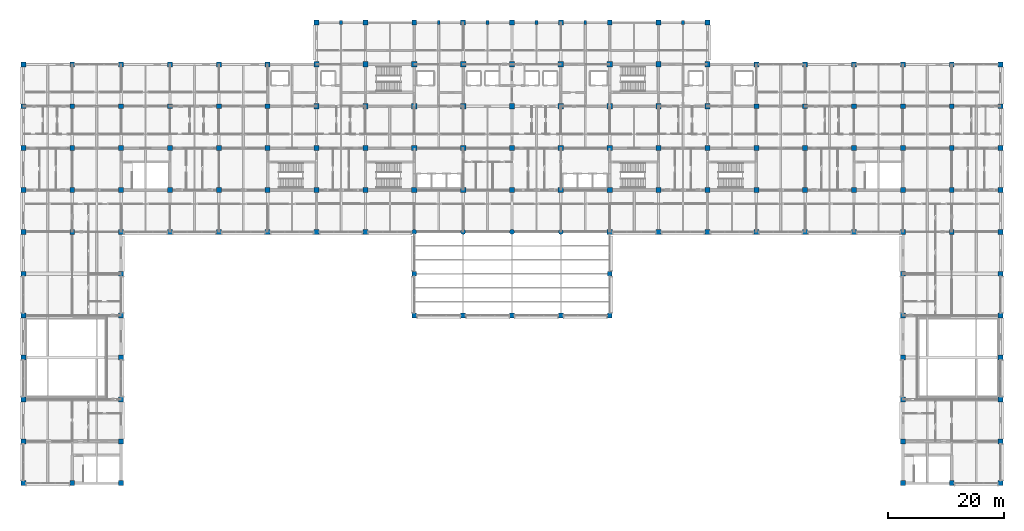
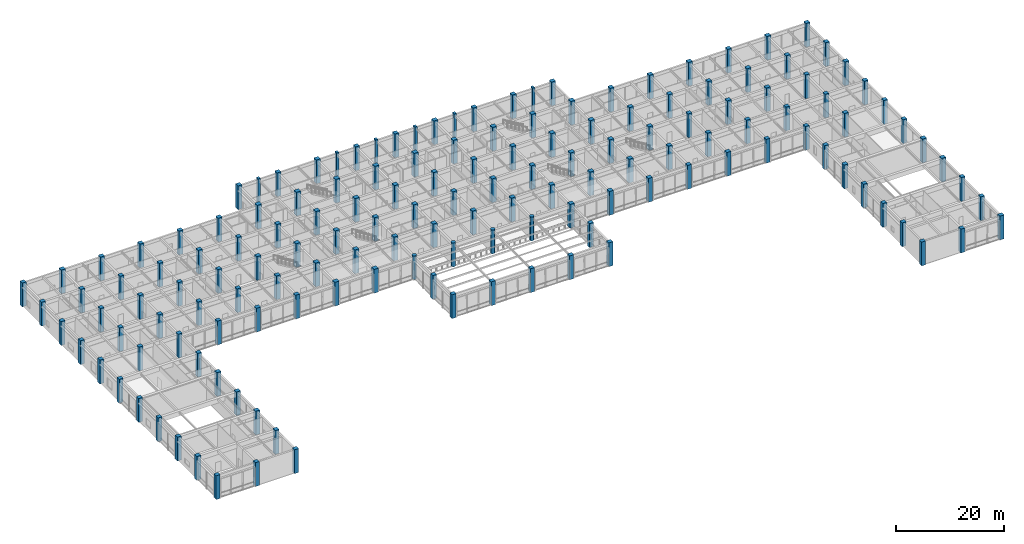
# One storey, part 1 of 58: 153 columns.
"""IFC4 building model written with IfcOpenShell, lengths in metres."""

from ifc_helpers import new_model, si_unit, direction, frame, origin, origin_2d, place, context, subcontext, project, spatial, rectangle, circle, extrude, material, material_profile, profile_set, type_object, element, save


model = new_model("IFC4")

# Units and contexts
model_context = context("Model", 3, precision=1e-05, world=origin(), true_north=direction((0.0, 1.0)))
body_context = subcontext(model_context, "Body", "Model", "MODEL_VIEW")
ifc_project = project(units=[si_unit("LENGTHUNIT", "METRE"), si_unit("AREAUNIT", "SQUARE_METRE"), si_unit("VOLUMEUNIT", "CUBIC_METRE"), si_unit("PLANEANGLEUNIT", "RADIAN"), si_unit("MASSUNIT", "GRAM", prefix="KILO")], contexts=[model_context])

# Site, building, storey
site_placement = place(None, origin())
site = spatial("IfcSite", under=ifc_project, at=site_placement, CompositionType="ELEMENT")
building_placement = place(site_placement, origin())
building = spatial("IfcBuilding", under=site, at=building_placement, Name="Chengyuan Square Courthouse", CompositionType="ELEMENT")
storey_placement = place(building_placement, frame((0.0, 0.0, 16.199951171875)))
storey = spatial("IfcBuildingStorey", under=building, at=storey_placement, Name="L04", CompositionType="ELEMENT", Elevation=16.199951171875)

# Columns
ifc_material_1 = material(Name="Concrete C50", Category="concrete")
ifc_material_profile_1 = material_profile(ifc_material_1, rectangle(XDim=0.89990234375, YDim=0.89990234375, at=origin_2d()), Name="RC-COL-900x900")
ifc_profile_set_1 = profile_set([ifc_material_profile_1], Name="Concrete C50")
column_type_1 = type_object("IfcColumnType", Name="CL-02", PredefinedType="COLUMN", material=ifc_profile_set_1)
for number, where, z_axis, x_axis, name in (
    (1, (50.39990234375, 79.199951171875, 0.0), (0.0, 0.0, 1.0), (1.0, 0.0, 0.0), "Column CL-L04-044"),
    (2, (50.39990234375, 86.39990234375, 0.0), (0.0, 0.0, 1.0), (1.0, 0.0, 0.0), "Column CL-L04-045"),
    (3, (50.39990234375, 93.60009765625, 0.0), (0.0, 0.0, 1.0), (1.0, 0.0, 0.0), "Column CL-L04-046"),
    (4, (50.39990234375, 100.800048828125, 0.0), (0.0, 0.0, 1.0), (1.0, 0.0, 0.0), "Column CL-L04-047"),
    (5, (50.39990234375, 108.0, 0.0), (0.0, 0.0, 1.0), (1.0, 0.0, 0.0), "Column CL-L04-048"),
    (6, (58.800048828125, 79.199951171875, 0.0), (0.0, 0.0, 1.0), (1.0, 0.0, 0.0), "Column CL-L04-050"),
    (7, (58.800048828125, 86.39990234375, 0.0), (0.0, 0.0, 1.0), (1.0, 0.0, 0.0), "Column CL-L04-051"),
    (8, (58.800048828125, 93.60009765625, 0.0), (0.0, 0.0, 1.0), (1.0, 0.0, 0.0), "Column CL-L04-052"),
    (9, (58.800048828125, 100.800048828125, 0.0), (0.0, 0.0, 1.0), (1.0, 0.0, 0.0), "Column CL-L04-053"),
    (10, (58.800048828125, 108.0, 0.0), (0.0, 0.0, 1.0), (1.0, 0.0, 0.0), "Column CL-L04-054"),
    (11, (67.199951171875, 86.39990234375, 0.0), (0.0, 0.0, 1.0), (1.0, 0.0, 0.0), "Column CL-L04-059"),
    (12, (67.199951171875, 93.60009765625, 0.0), (0.0, 0.0, 1.0), (1.0, 0.0, 0.0), "Column CL-L04-060"),
    (13, (67.199951171875, 100.800048828125, 0.0), (0.0, 0.0, 1.0), (1.0, 0.0, 0.0), "Column CL-L04-061"),
    (14, (67.199951171875, 108.0, 0.0), (0.0, 0.0, 1.0), (1.0, 0.0, 0.0), "Column CL-L04-062"),
    (15, (75.60009765625, 86.39990234375, 0.0), (0.0, 0.0, 1.0), (1.0, 0.0, 0.0), "Column CL-L04-066"),
    (16, (75.60009765625, 93.60009765625, 0.0), (0.0, 0.0, 1.0), (1.0, 0.0, 0.0), "Column CL-L04-067"),
    (17, (75.60009765625, 100.800048828125, 0.0), (0.0, 0.0, 1.0), (1.0, 0.0, 0.0), "Column CL-L04-068"),
    (18, (75.60009765625, 108.0, 0.0), (0.0, 0.0, 1.0), (1.0, 0.0, 0.0), "Column CL-L04-069"),
    (19, (84.0, 86.39990234375, 0.0), (0.0, 0.0, 1.0), (1.0, 0.0, 0.0), "Column CL-L04-073"),
    (20, (84.0, 93.60009765625, 0.0), (0.0, 0.0, 1.0), (1.0, 0.0, 0.0), "Column CL-L04-074"),
    (21, (84.0, 100.800048828125, 0.0), (0.0, 0.0, 1.0), (1.0, 0.0, 0.0), "Column CL-L04-075"),
    (22, (84.0, 108.0, 0.0), (0.0, 0.0, 1.0), (1.0, 0.0, 0.0), "Column CL-L04-076"),
    (23, (92.39990234375, 86.39990234375, 0.0), (0.0, 0.0, 1.0), (1.0, 0.0, 0.0), "Column CL-L04-080"),
    (24, (92.39990234375, 93.60009765625, 0.0), (0.0, 0.0, 1.0), (1.0, 0.0, 0.0), "Column CL-L04-081"),
    (25, (92.39990234375, 100.800048828125, 0.0), (0.0, 0.0, 1.0), (1.0, 0.0, 0.0), "Column CL-L04-082"),
    (26, (92.39990234375, 108.0, 0.0), (0.0, 0.0, 1.0), (1.0, 0.0, 0.0), "Column CL-L04-083"),
    (27, (100.800048828125, 79.199951171875, 0.0), (0.0, 0.0, 1.0), (1.0, 0.0, 0.0), "Column CL-L04-087"),
    (28, (100.800048828125, 86.39990234375, 0.0), (0.0, 0.0, 1.0), (1.0, 0.0, 0.0), "Column CL-L04-088"),
    (29, (100.800048828125, 93.60009765625, 0.0), (0.0, 0.0, 1.0), (1.0, 0.0, 0.0), "Column CL-L04-089"),
    (30, (100.800048828125, 100.800048828125, 0.0), (0.0, 0.0, 1.0), (1.0, 0.0, 0.0), "Column CL-L04-090"),
    (31, (100.800048828125, 108.0, 0.0), (0.0, 0.0, 1.0), (1.0, 0.0, 0.0), "Column CL-L04-091"),
    (32, (109.199951171875, 79.199951171875, 0.0), (0.0, 0.0, 1.0), (1.0, 0.0, 0.0), "Column CL-L04-093"),
    (33, (109.199951171875, 86.39990234375, 0.0), (0.0, 0.0, 1.0), (1.0, 0.0, 0.0), "Column CL-L04-094"),
    (34, (109.199951171875, 93.60009765625, 0.0), (0.0, 0.0, 1.0), (1.0, 0.0, 0.0), "Column CL-L04-095"),
    (35, (109.199951171875, 100.800048828125, 0.0), (0.0, 0.0, 1.0), (1.0, 0.0, 0.0), "Column CL-L04-096"),
    (36, (109.199951171875, 108.0, 0.0), (0.0, 0.0, 1.0), (1.0, 0.0, 0.0), "Column CL-L04-097"),
    (37, (117.60009765625, 79.199951171875, 0.0), (0.0, 0.0, 1.0), (1.0, 0.0, 0.0), "Column CL-L04-099"),
    (38, (117.60009765625, 86.39990234375, 0.0), (0.0, 0.0, 1.0), (1.0, 0.0, 0.0), "Column CL-L04-100"),
    (39, (117.60009765625, 93.60009765625, 0.0), (0.0, 0.0, 1.0), (1.0, 0.0, 0.0), "Column CL-L04-101"),
    (40, (117.60009765625, 100.800048828125, 0.0), (0.0, 0.0, 1.0), (1.0, 0.0, 0.0), "Column CL-L04-102"),
    (41, (117.60009765625, 108.0, 0.0), (0.0, 0.0, 1.0), (1.0, 0.0, 0.0), "Column CL-L04-103"),
):
    element("IfcColumn", number, at=place(storey_placement, frame(where, z_axis=z_axis, x_axis=x_axis)), inside=storey, type_object=column_type_1, Name=name, PredefinedType="COLUMN", context=body_context, shape_type="SweptSolid", body=[
        extrude(rectangle(XDim=0.89990234375, YDim=0.89990234375, at=origin_2d()), origin(), (0.0, 0.0, 1.0), 5.400146484375),
    ])
ifc_material_profile_2 = material_profile(ifc_material_1, rectangle(XDim=0.85009765625, YDim=0.85009765625, at=origin_2d()), Name="RC-COL-850x850")
ifc_profile_set_2 = profile_set([ifc_material_profile_2], Name="Concrete C50")
column_type_2 = type_object("IfcColumnType", Name="CL-03", PredefinedType="COLUMN", material=ifc_profile_set_2)
for number, where, z_axis, x_axis, name in (
    (42, (0.0, 36.0, 0.0), (0.0, 0.0, 1.0), (1.0, 0.0, 0.0), "Column CL-L04-001"),
    (43, (0.0, 43.199951171875, 0.0), (0.0, 0.0, 1.0), (1.0, 0.0, 0.0), "Column CL-L04-002"),
    (44, (0.0, 50.39990234375, 0.0), (0.0, 0.0, 1.0), (1.0, 0.0, 0.0), "Column CL-L04-003"),
    (45, (0.0, 57.60009765625, 0.0), (0.0, 0.0, 1.0), (1.0, 0.0, 0.0), "Column CL-L04-004"),
    (46, (0.0, 64.800048828125, 0.0), (0.0, 0.0, 1.0), (1.0, 0.0, 0.0), "Column CL-L04-005"),
    (47, (0.0, 72.0, 0.0), (0.0, 0.0, 1.0), (1.0, 0.0, 0.0), "Column CL-L04-006"),
    (48, (0.0, 79.199951171875, 0.0), (0.0, 0.0, 1.0), (1.0, 0.0, 0.0), "Column CL-L04-007"),
    (49, (0.0, 86.39990234375, 0.0), (0.0, 0.0, 1.0), (1.0, 0.0, 0.0), "Column CL-L04-008"),
    (50, (0.0, 93.60009765625, 0.0), (0.0, 0.0, 1.0), (1.0, 0.0, 0.0), "Column CL-L04-009"),
    (51, (0.0, 100.800048828125, 0.0), (0.0, 0.0, 1.0), (1.0, 0.0, 0.0), "Column CL-L04-010"),
    (52, (0.0, 108.0, 0.0), (0.0, 0.0, 1.0), (1.0, 0.0, 0.0), "Column CL-L04-011"),
    (53, (8.39990234375, 36.0, 0.0), (0.0, 0.0, 1.0), (1.0, 0.0, 0.0), "Column CL-L04-012"),
    (54, (8.39990234375, 79.199951171875, 0.0), (0.0, 0.0, 1.0), (1.0, 0.0, 0.0), "Column CL-L04-013"),
    (55, (8.39990234375, 86.39990234375, 0.0), (0.0, 0.0, 1.0), (1.0, 0.0, 0.0), "Column CL-L04-014"),
    (56, (8.39990234375, 93.60009765625, 0.0), (0.0, 0.0, 1.0), (1.0, 0.0, 0.0), "Column CL-L04-015"),
    (57, (8.39990234375, 100.800048828125, 0.0), (0.0, 0.0, 1.0), (1.0, 0.0, 0.0), "Column CL-L04-016"),
    (58, (8.39990234375, 108.0, 0.0), (0.0, 0.0, 1.0), (1.0, 0.0, 0.0), "Column CL-L04-017"),
    (59, (16.800048828125, 36.0, 0.0), (0.0, 0.0, 1.0), (1.0, 0.0, 0.0), "Column CL-L04-018"),
    (60, (16.800048828125, 43.199951171875, 0.0), (0.0, 0.0, 1.0), (1.0, 0.0, 0.0), "Column CL-L04-019"),
    (61, (16.800048828125, 50.39990234375, 0.0), (0.0, 0.0, 1.0), (1.0, 0.0, 0.0), "Column CL-L04-020"),
    (62, (16.800048828125, 57.60009765625, 0.0), (0.0, 0.0, 1.0), (1.0, 0.0, 0.0), "Column CL-L04-021"),
    (63, (16.800048828125, 64.800048828125, 0.0), (0.0, 0.0, 1.0), (1.0, 0.0, 0.0), "Column CL-L04-022"),
    (64, (16.800048828125, 72.0, 0.0), (0.0, 0.0, 1.0), (1.0, 0.0, 0.0), "Column CL-L04-023"),
    (65, (16.800048828125, 79.199951171875, 0.0), (0.0, 0.0, 1.0), (1.0, 0.0, 0.0), "Column CL-L04-024"),
    (66, (16.800048828125, 86.39990234375, 0.0), (0.0, 0.0, 1.0), (1.0, 0.0, 0.0), "Column CL-L04-025"),
    (67, (16.800048828125, 93.60009765625, 0.0), (0.0, 0.0, 1.0), (1.0, 0.0, 0.0), "Column CL-L04-026"),
    (68, (16.800048828125, 100.800048828125, 0.0), (0.0, 0.0, 1.0), (1.0, 0.0, 0.0), "Column CL-L04-027"),
    (69, (16.800048828125, 108.0, 0.0), (0.0, 0.0, 1.0), (1.0, 0.0, 0.0), "Column CL-L04-028"),
    (70, (25.199951171875, 79.199951171875, 0.0), (0.0, 0.0, 1.0), (1.0, 0.0, 0.0), "Column CL-L04-029"),
    (71, (25.199951171875, 86.39990234375, 0.0), (0.0, 0.0, 1.0), (1.0, 0.0, 0.0), "Column CL-L04-030"),
    (72, (25.199951171875, 93.60009765625, 0.0), (0.0, 0.0, 1.0), (1.0, 0.0, 0.0), "Column CL-L04-031"),
    (73, (25.199951171875, 100.800048828125, 0.0), (0.0, 0.0, 1.0), (1.0, 0.0, 0.0), "Column CL-L04-032"),
    (74, (25.199951171875, 108.0, 0.0), (0.0, 0.0, 1.0), (1.0, 0.0, 0.0), "Column CL-L04-033"),
    (75, (33.60009765625, 79.199951171875, 0.0), (0.0, 0.0, 1.0), (1.0, 0.0, 0.0), "Column CL-L04-034"),
    (76, (33.60009765625, 86.39990234375, 0.0), (0.0, 0.0, 1.0), (1.0, 0.0, 0.0), "Column CL-L04-035"),
    (77, (33.60009765625, 93.60009765625, 0.0), (0.0, 0.0, 1.0), (1.0, 0.0, 0.0), "Column CL-L04-036"),
    (78, (33.60009765625, 100.800048828125, 0.0), (0.0, 0.0, 1.0), (1.0, 0.0, 0.0), "Column CL-L04-037"),
    (79, (33.60009765625, 108.0, 0.0), (0.0, 0.0, 1.0), (1.0, 0.0, 0.0), "Column CL-L04-038"),
    (80, (42.0, 79.199951171875, 0.0), (0.0, 0.0, 1.0), (1.0, 0.0, 0.0), "Column CL-L04-039"),
    (81, (42.0, 86.39990234375, 0.0), (0.0, 0.0, 1.0), (1.0, 0.0, 0.0), "Column CL-L04-040"),
    (82, (42.0, 93.60009765625, 0.0), (0.0, 0.0, 1.0), (1.0, 0.0, 0.0), "Column CL-L04-041"),
    (83, (42.0, 100.800048828125, 0.0), (0.0, 0.0, 1.0), (1.0, 0.0, 0.0), "Column CL-L04-042"),
    (84, (42.0, 108.0, 0.0), (0.0, 0.0, 1.0), (1.0, 0.0, 0.0), "Column CL-L04-043"),
    (85, (50.39990234375, 115.199951171875, 0.0), (0.0, 0.0, 1.0), (1.0, 0.0, 0.0), "Column CL-L04-049"),
    (86, (58.800048828125, 115.199951171875, 0.0), (0.0, 0.0, 1.0), (1.0, 0.0, 0.0), "Column CL-L04-055"),
    (87, (67.199951171875, 64.800048828125, 0.0), (0.0, 0.0, 1.0), (1.0, 0.0, 0.0), "Column CL-L04-056"),
    (88, (67.199951171875, 72.0, 0.0), (0.0, 0.0, 1.0), (1.0, 0.0, 0.0), "Column CL-L04-057"),
    (89, (67.199951171875, 115.199951171875, 0.0), (0.0, 0.0, 1.0), (1.0, 0.0, 0.0), "Column CL-L04-063"),
    (90, (75.60009765625, 64.800048828125, 0.0), (0.0, 0.0, 1.0), (1.0, 0.0, 0.0), "Column CL-L04-064"),
    (91, (75.60009765625, 115.199951171875, 0.0), (0.0, 0.0, 1.0), (1.0, 0.0, 0.0), "Column CL-L04-070"),
    (92, (84.0, 64.800048828125, 0.0), (0.0, 0.0, 1.0), (1.0, 0.0, 0.0), "Column CL-L04-071"),
    (93, (84.0, 115.199951171875, 0.0), (0.0, 0.0, 1.0), (1.0, 0.0, 0.0), "Column CL-L04-077"),
    (94, (92.39990234375, 64.800048828125, 0.0), (0.0, 0.0, 1.0), (1.0, 0.0, 0.0), "Column CL-L04-078"),
    (95, (92.39990234375, 115.199951171875, 0.0), (0.0, 0.0, 1.0), (1.0, 0.0, 0.0), "Column CL-L04-084"),
    (96, (100.800048828125, 64.800048828125, 0.0), (0.0, 0.0, 1.0), (1.0, 0.0, 0.0), "Column CL-L04-085"),
    (97, (100.800048828125, 72.0, 0.0), (0.0, 0.0, 1.0), (1.0, 0.0, 0.0), "Column CL-L04-086"),
    (98, (100.800048828125, 115.199951171875, 0.0), (0.0, 0.0, 1.0), (1.0, 0.0, 0.0), "Column CL-L04-092"),
    (99, (109.199951171875, 115.199951171875, 0.0), (0.0, 0.0, 1.0), (1.0, 0.0, 0.0), "Column CL-L04-098"),
    (100, (117.60009765625, 115.199951171875, 0.0), (0.0, 0.0, 1.0), (1.0, 0.0, 0.0), "Column CL-L04-104"),
    (101, (126.0, 79.199951171875, 0.0), (0.0, 0.0, 1.0), (1.0, 0.0, 0.0), "Column CL-L04-105"),
    (102, (126.0, 86.39990234375, 0.0), (0.0, 0.0, 1.0), (1.0, 0.0, 0.0), "Column CL-L04-106"),
    (103, (126.0, 93.60009765625, 0.0), (0.0, 0.0, 1.0), (1.0, 0.0, 0.0), "Column CL-L04-107"),
    (104, (126.0, 100.800048828125, 0.0), (0.0, 0.0, 1.0), (1.0, 0.0, 0.0), "Column CL-L04-108"),
    (105, (126.0, 108.0, 0.0), (0.0, 0.0, 1.0), (1.0, 0.0, 0.0), "Column CL-L04-109"),
    (106, (134.39990234375, 79.199951171875, 0.0), (0.0, 0.0, 1.0), (1.0, 0.0, 0.0), "Column CL-L04-110"),
    (107, (134.39990234375, 86.39990234375, 0.0), (0.0, 0.0, 1.0), (1.0, 0.0, 0.0), "Column CL-L04-111"),
    (108, (134.39990234375, 93.60009765625, 0.0), (0.0, 0.0, 1.0), (1.0, 0.0, 0.0), "Column CL-L04-112"),
    (109, (134.39990234375, 100.800048828125, 0.0), (0.0, 0.0, 1.0), (1.0, 0.0, 0.0), "Column CL-L04-113"),
    (110, (134.39990234375, 108.0, 0.0), (0.0, 0.0, 1.0), (1.0, 0.0, 0.0), "Column CL-L04-114"),
    (111, (142.800048828125, 79.199951171875, 0.0), (0.0, 0.0, 1.0), (1.0, 0.0, 0.0), "Column CL-L04-115"),
    (112, (142.800048828125, 86.39990234375, 0.0), (0.0, 0.0, 1.0), (1.0, 0.0, 0.0), "Column CL-L04-116"),
    (113, (142.800048828125, 93.60009765625, 0.0), (0.0, 0.0, 1.0), (1.0, 0.0, 0.0), "Column CL-L04-117"),
    (114, (142.800048828125, 100.800048828125, 0.0), (0.0, 0.0, 1.0), (1.0, 0.0, 0.0), "Column CL-L04-118"),
    (115, (142.800048828125, 108.0, 0.0), (0.0, 0.0, 1.0), (1.0, 0.0, 0.0), "Column CL-L04-119"),
    (116, (151.199951171875, 36.0, 0.0), (0.0, 0.0, 1.0), (1.0, 0.0, 0.0), "Column CL-L04-120"),
    (117, (151.199951171875, 43.199951171875, 0.0), (0.0, 0.0, 1.0), (1.0, 0.0, 0.0), "Column CL-L04-121"),
    (118, (151.199951171875, 50.39990234375, 0.0), (0.0, 0.0, 1.0), (1.0, 0.0, 0.0), "Column CL-L04-122"),
    (119, (151.199951171875, 57.60009765625, 0.0), (0.0, 0.0, 1.0), (1.0, 0.0, 0.0), "Column CL-L04-123"),
    (120, (151.199951171875, 64.800048828125, 0.0), (0.0, 0.0, 1.0), (1.0, 0.0, 0.0), "Column CL-L04-124"),
    (121, (151.199951171875, 72.0, 0.0), (0.0, 0.0, 1.0), (1.0, 0.0, 0.0), "Column CL-L04-125"),
    (122, (151.199951171875, 79.199951171875, 0.0), (0.0, 0.0, 1.0), (1.0, 0.0, 0.0), "Column CL-L04-126"),
    (123, (151.199951171875, 86.39990234375, 0.0), (0.0, 0.0, 1.0), (1.0, 0.0, 0.0), "Column CL-L04-127"),
    (124, (151.199951171875, 93.60009765625, 0.0), (0.0, 0.0, 1.0), (1.0, 0.0, 0.0), "Column CL-L04-128"),
    (125, (151.199951171875, 100.800048828125, 0.0), (0.0, 0.0, 1.0), (1.0, 0.0, 0.0), "Column CL-L04-129"),
    (126, (151.199951171875, 108.0, 0.0), (0.0, 0.0, 1.0), (1.0, 0.0, 0.0), "Column CL-L04-130"),
    (127, (159.60009765625, 36.0, 0.0), (0.0, 0.0, 1.0), (1.0, 0.0, 0.0), "Column CL-L04-131"),
    (128, (159.60009765625, 79.199951171875, 0.0), (0.0, 0.0, 1.0), (1.0, 0.0, 0.0), "Column CL-L04-132"),
    (129, (159.60009765625, 86.39990234375, 0.0), (0.0, 0.0, 1.0), (1.0, 0.0, 0.0), "Column CL-L04-133"),
    (130, (159.60009765625, 93.60009765625, 0.0), (0.0, 0.0, 1.0), (1.0, 0.0, 0.0), "Column CL-L04-134"),
    (131, (159.60009765625, 100.800048828125, 0.0), (0.0, 0.0, 1.0), (1.0, 0.0, 0.0), "Column CL-L04-135"),
    (132, (159.60009765625, 108.0, 0.0), (0.0, 0.0, 1.0), (1.0, 0.0, 0.0), "Column CL-L04-136"),
    (133, (168.0, 36.0, 0.0), (0.0, 0.0, 1.0), (1.0, 0.0, 0.0), "Column CL-L04-137"),
    (134, (168.0, 43.199951171875, 0.0), (0.0, 0.0, 1.0), (1.0, 0.0, 0.0), "Column CL-L04-138"),
    (135, (168.0, 50.39990234375, 0.0), (0.0, 0.0, 1.0), (1.0, 0.0, 0.0), "Column CL-L04-139"),
    (136, (168.0, 57.60009765625, 0.0), (0.0, 0.0, 1.0), (1.0, 0.0, 0.0), "Column CL-L04-140"),
    (137, (168.0, 64.800048828125, 0.0), (0.0, 0.0, 1.0), (1.0, 0.0, 0.0), "Column CL-L04-141"),
    (138, (168.0, 72.0, 0.0), (0.0, 0.0, 1.0), (1.0, 0.0, 0.0), "Column CL-L04-142"),
    (139, (168.0, 79.199951171875, 0.0), (0.0, 0.0, 1.0), (1.0, 0.0, 0.0), "Column CL-L04-143"),
    (140, (168.0, 86.39990234375, 0.0), (0.0, 0.0, 1.0), (1.0, 0.0, 0.0), "Column CL-L04-144"),
    (141, (168.0, 93.60009765625, 0.0), (0.0, 0.0, 1.0), (1.0, 0.0, 0.0), "Column CL-L04-145"),
    (142, (168.0, 100.800048828125, 0.0), (0.0, 0.0, 1.0), (1.0, 0.0, 0.0), "Column CL-L04-146"),
    (143, (168.0, 108.0, 0.0), (0.0, 0.0, 1.0), (1.0, 0.0, 0.0), "Column CL-L04-147"),
):
    element("IfcColumn", number, at=place(storey_placement, frame(where, z_axis=z_axis, x_axis=x_axis)), inside=storey, type_object=column_type_2, Name=name, PredefinedType="COLUMN", context=body_context, shape_type="SweptSolid", body=[
        extrude(rectangle(XDim=0.85009765625, YDim=0.85009765625, at=origin_2d()), origin(), (0.0, 0.0, 1.0), 5.400146484375),
    ])
ifc_material_profile_3 = material_profile(ifc_material_1, circle(Radius=0.425048828125, at=origin_2d()), Name="RC-COL-D850")
ifc_profile_set_3 = profile_set([ifc_material_profile_3], Name="Concrete C50")
column_type_3 = type_object("IfcColumnType", Name="CL-08", PredefinedType="COLUMN", material=ifc_profile_set_3)
for number, where, z_axis, x_axis, name in (
    (144, (67.199951171875, 79.199951171875, 0.0), (0.0, 0.0, 1.0), (1.0, 0.0, 0.0), "Column CL-L04-058"),
    (145, (75.60009765625, 79.199951171875, 0.0), (0.0, 0.0, 1.0), (1.0, 0.0, 0.0), "Column CL-L04-065"),
    (146, (84.0, 79.199951171875, 0.0), (0.0, 0.0, 1.0), (1.0, 0.0, 0.0), "Column CL-L04-072"),
    (147, (92.39990234375, 79.199951171875, 0.0), (0.0, 0.0, 1.0), (1.0, 0.0, 0.0), "Column CL-L04-079"),
):
    element("IfcColumn", number, at=place(storey_placement, frame(where, z_axis=z_axis, x_axis=x_axis)), inside=storey, type_object=column_type_3, Name=name, PredefinedType="COLUMN", context=body_context, shape_type="SweptSolid", body=[
        extrude(circle(Radius=0.425048828125, at=origin_2d()), origin(), (0.0, 0.0, 1.0), 5.400146484375),
    ])
ifc_material_2 = material(Name="Concrete C40", Category="concrete")
ifc_material_profile_4 = material_profile(ifc_material_2, rectangle(XDim=0.5, YDim=0.64990234375, at=origin_2d()), Name="RC-PIL-500x650")
ifc_profile_set_4 = profile_set([ifc_material_profile_4], Name="Concrete C40")
column_type_4 = type_object("IfcColumnType", Name="CL-09", PredefinedType="PILASTER", material=ifc_profile_set_4)
for number, where, z_axis, x_axis, name in (
    (148, (54.60009765625, 115.199951171875, 0.0), (0.0, 0.0, 1.0), (1.0, 0.0, 0.0), "Engaged Pilaster PLST-L04-148"),
    (149, (71.39990234375, 115.199951171875, 0.0), (0.0, 0.0, 1.0), (1.0, 0.0, 0.0), "Engaged Pilaster PLST-L04-149"),
    (150, (79.800048828125, 115.199951171875, 0.0), (0.0, 0.0, 1.0), (1.0, 0.0, 0.0), "Engaged Pilaster PLST-L04-150"),
    (151, (88.199951171875, 115.199951171875, 0.0), (0.0, 0.0, 1.0), (1.0, 0.0, 0.0), "Engaged Pilaster PLST-L04-151"),
    (152, (96.60009765625, 115.199951171875, 0.0), (0.0, 0.0, 1.0), (1.0, 0.0, 0.0), "Engaged Pilaster PLST-L04-152"),
    (153, (113.39990234375, 115.199951171875, 0.0), (0.0, 0.0, 1.0), (1.0, 0.0, 0.0), "Engaged Pilaster PLST-L04-153"),
):
    element("IfcColumn", number, at=place(storey_placement, frame(where, z_axis=z_axis, x_axis=x_axis)), inside=storey, type_object=column_type_4, Name=name, PredefinedType="PILASTER", context=body_context, shape_type="SweptSolid", body=[
        extrude(rectangle(XDim=0.5, YDim=0.64990234375, at=origin_2d()), origin(), (0.0, 0.0, 1.0), 5.400146484375),
    ])

save(model, "model.ifc")
